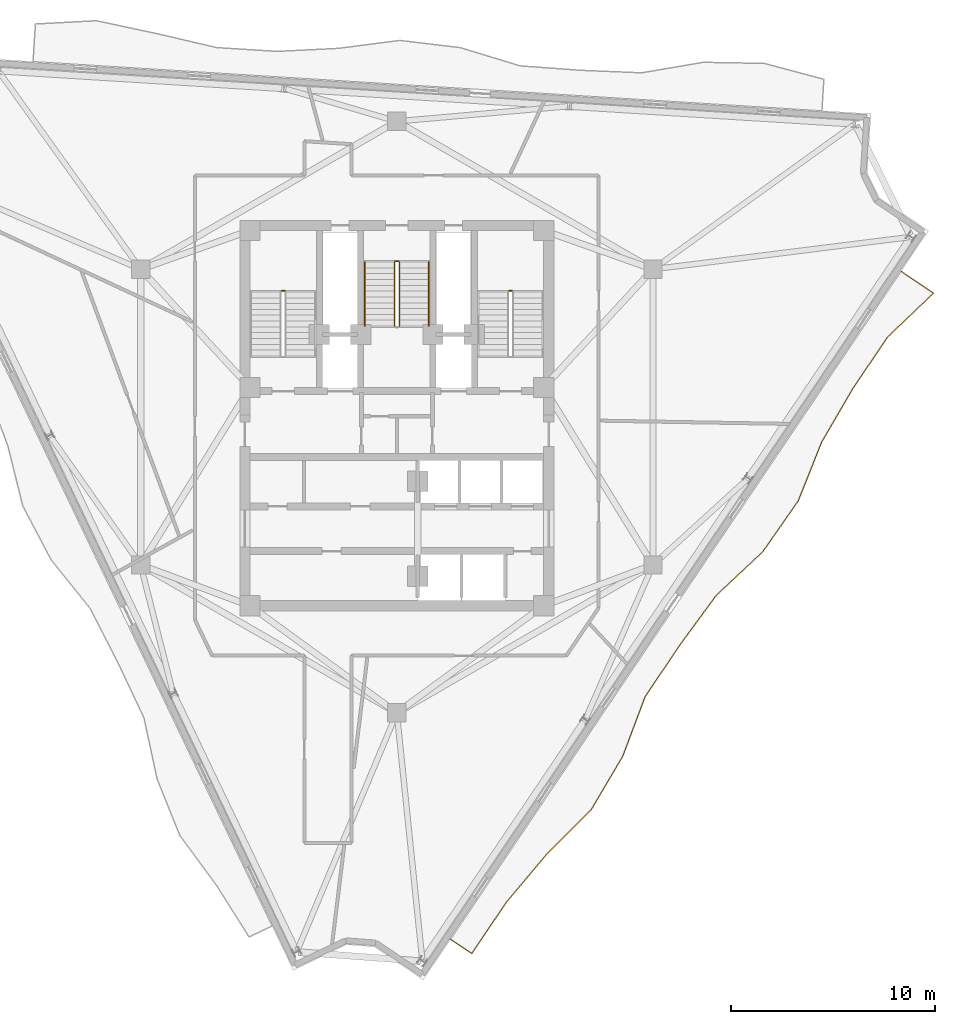
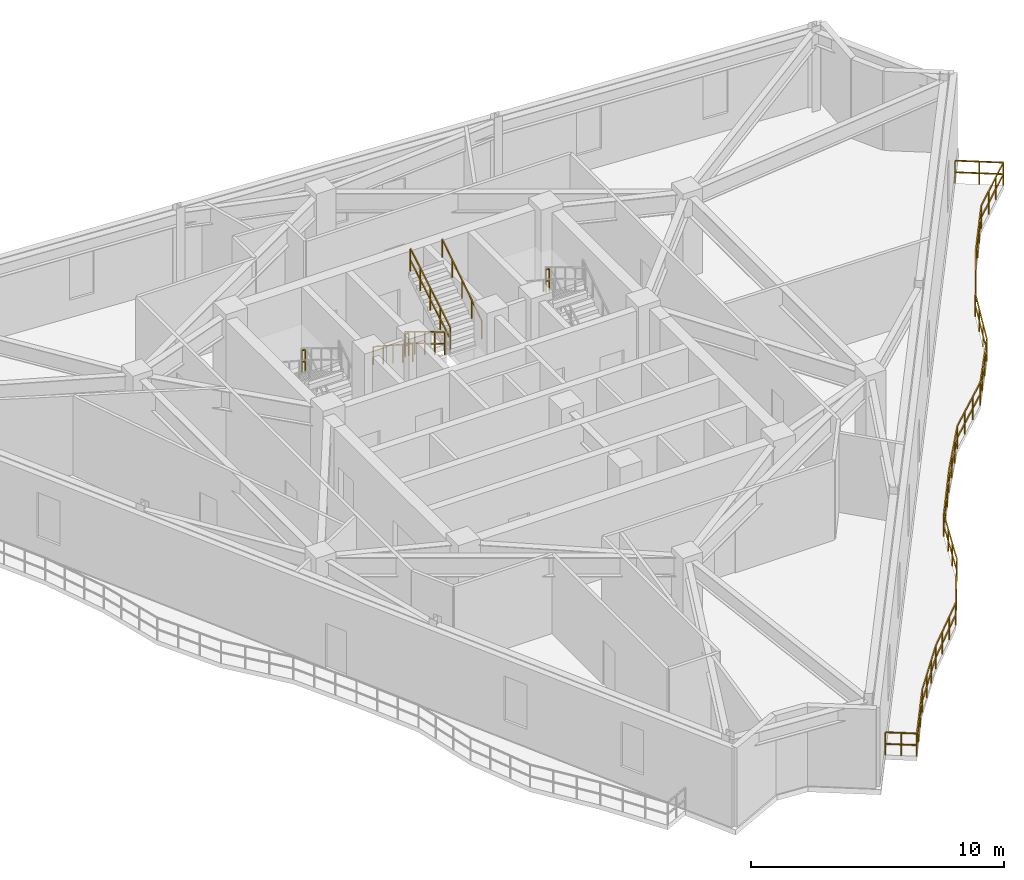
# One storey, part 10 of 11: 8 railings.
"""IFC4 building model written with IfcOpenShell, lengths in metres."""

from ifc_helpers import new_model, si_unit, direction, frame, origin, origin_2d, place, context, subcontext, project, spatial, rectangle, extrude, material, type_object, element, save


model = new_model("IFC4")

# Units and contexts
model_context = context("Model", 3, precision=1e-05, world=origin(), true_north=direction((0.0, 1.0)))
body_context = subcontext(model_context, "Body", "Model", "MODEL_VIEW")
ifc_project = project(units=[si_unit("LENGTHUNIT", "METRE"), si_unit("AREAUNIT", "SQUARE_METRE"), si_unit("VOLUMEUNIT", "CUBIC_METRE"), si_unit("PLANEANGLEUNIT", "RADIAN"), si_unit("MASSUNIT", "GRAM", prefix="KILO")], contexts=[model_context])

# Site, building, storey
site_placement = place(None, origin())
site = spatial("IfcSite", under=ifc_project, at=site_placement, CompositionType="ELEMENT")
building_placement = place(site_placement, origin())
building = spatial("IfcBuilding", under=site, at=building_placement, Name="Apsidion Concourse Tower", CompositionType="ELEMENT")
storey_placement = place(building_placement, frame((0.0, 0.0, 314.699951171875)))
storey = spatial("IfcBuildingStorey", under=building, at=storey_placement, Name="L74", CompositionType="ELEMENT", Elevation=314.699951171875)

# Railings
ifc_material = material(Name="Brushed stainless steel 316", Category="steel")
railing_type_1 = type_object("IfcRailingType", Name="RL-BAL-1120", PredefinedType="BALUSTRADE", material=ifc_material)
railing_1_placement = place(storey_placement, frame((24.735595703125, 7.147216796875, 0.0)))
element("IfcRailing", 1, at=railing_1_placement, inside=storey, type_object=railing_type_1, Name="L74 Face 2 Rippling Balcony Balustrade", PredefinedType="BALUSTRADE", context=body_context, shape_type="SweptSolid", body=[
    extrude(rectangle(XDim=0.048095703125, YDim=0.048095703125, at=origin_2d()), frame((0.0, 0.0, 1.09619140625), z_axis=(0.829055627958, -0.559166134303, 0.0), x_axis=(0.559166134303, 0.829055627958, 0.0)), (0.0, 0.0, 1.0), 1.9140625),
    extrude(rectangle(XDim=0.048095703125, YDim=0.048095703125, at=origin_2d()), frame((0.0, 0.0, 0.5361328125), z_axis=(0.829055627958, -0.559166134303, 0.0), x_axis=(0.559166134303, 0.829055627958, 0.0)), (0.0, 0.0, 1.0), 1.9140625),
    extrude(rectangle(XDim=0.048095703125, YDim=0.048095703125, at=origin_2d()), frame((1.5869140625, -1.0703125, 1.09619140625), z_axis=(-0.723277160742, -0.690557853297, 0.0), x_axis=(0.690557853297, -0.723277160742, 0.0)), (0.0, 0.0, 1.0), 3.111572265625),
    extrude(rectangle(XDim=0.048095703125, YDim=0.048095703125, at=origin_2d()), frame((1.5869140625, -1.0703125, 0.5361328125), z_axis=(-0.723277160742, -0.690557853297, 0.0), x_axis=(0.690557853297, -0.723277160742, 0.0)), (0.0, 0.0, 1.0), 3.111572265625),
    extrude(rectangle(XDim=0.048095703125, YDim=0.048095703125, at=origin_2d()), frame((-0.66357421875, -3.218994140625, 1.09619140625), z_axis=(-0.559214853397, -0.82902276672, 0.0), x_axis=(0.82902276672, -0.559214853397, 0.0)), (0.0, 0.0, 1.0), 3.03955078125),
    extrude(rectangle(XDim=0.048095703125, YDim=0.048095703125, at=origin_2d()), frame((-0.66357421875, -3.218994140625, 0.5361328125), z_axis=(-0.559214853397, -0.82902276672, 0.0), x_axis=(0.82902276672, -0.559214853397, 0.0)), (0.0, 0.0, 1.0), 3.03955078125),
    extrude(rectangle(XDim=0.048095703125, YDim=0.048095703125, at=origin_2d()), frame((-2.36328125, -5.73876953125, 1.09619140625), z_axis=(-0.503741451278, -0.863854472851, 0.0), x_axis=(0.863854472851, -0.503741451278, 0.0)), (0.0, 0.0, 1.0), 3.046142578125),
    extrude(rectangle(XDim=0.048095703125, YDim=0.048095703125, at=origin_2d()), frame((-2.36328125, -5.73876953125, 0.5361328125), z_axis=(-0.503741451278, -0.863854472851, 0.0), x_axis=(0.863854472851, -0.503741451278, 0.0)), (0.0, 0.0, 1.0), 3.046142578125),
    extrude(rectangle(XDim=0.048095703125, YDim=0.048095703125, at=origin_2d()), frame((-3.897705078125, -8.3701171875, 1.09619140625), z_axis=(-0.370375548991, -0.92888209839, 0.0), x_axis=(0.92888209839, -0.370375548991, 0.0)), (0.0, 0.0, 1.0), 3.110595703125),
    extrude(rectangle(XDim=0.048095703125, YDim=0.048095703125, at=origin_2d()), frame((-3.897705078125, -8.3701171875, 0.5361328125), z_axis=(-0.370375548991, -0.92888209839, 0.0), x_axis=(0.92888209839, -0.370375548991, 0.0)), (0.0, 0.0, 1.0), 3.110595703125),
    extrude(rectangle(XDim=0.048095703125, YDim=0.048095703125, at=origin_2d()), frame((-5.0498046875, -11.259521484375, 1.09619140625), z_axis=(-0.571871279229, -0.820343367129, 0.0), x_axis=(0.820343367129, -0.571871279229, 0.0)), (0.0, 0.0, 1.0), 3.0400390625),
    extrude(rectangle(XDim=0.048095703125, YDim=0.048095703125, at=origin_2d()), frame((-5.0498046875, -11.259521484375, 0.5361328125), z_axis=(-0.571871279229, -0.820343367129, 0.0), x_axis=(0.820343367129, -0.571871279229, 0.0)), (0.0, 0.0, 1.0), 3.0400390625),
    extrude(rectangle(XDim=0.048095703125, YDim=0.048095703125, at=origin_2d()), frame((-6.788330078125, -13.75341796875, 1.09619140625), z_axis=(-0.729942429374, -0.68350863184, 0.0), x_axis=(0.68350863184, -0.729942429374, 0.0)), (0.0, 0.0, 1.0), 3.117919921875),
    extrude(rectangle(XDim=0.048095703125, YDim=0.048095703125, at=origin_2d()), frame((-6.788330078125, -13.75341796875, 0.5361328125), z_axis=(-0.729942429374, -0.68350863184, 0.0), x_axis=(0.68350863184, -0.729942429374, 0.0)), (0.0, 0.0, 1.0), 3.117919921875),
    extrude(rectangle(XDim=0.048095703125, YDim=0.048095703125, at=origin_2d()), frame((-9.064208984375, -15.884521484375, 1.09619140625), z_axis=(-0.590921705352, -0.806728912426, 0.0), x_axis=(0.806728912426, -0.590921705352, 0.0)), (0.0, 0.0, 1.0), 3.0419921875),
    extrude(rectangle(XDim=0.048095703125, YDim=0.048095703125, at=origin_2d()), frame((-9.064208984375, -15.884521484375, 0.5361328125), z_axis=(-0.590921705352, -0.806728912426, 0.0), x_axis=(0.806728912426, -0.590921705352, 0.0)), (0.0, 0.0, 1.0), 3.0419921875),
    extrude(rectangle(XDim=0.048095703125, YDim=0.048095703125, at=origin_2d()), frame((-10.86181640625, -18.338623046875, 1.09619140625), z_axis=(-0.557718111611, -0.830030425937, 0.0), x_axis=(0.830030425937, -0.557718111611, 0.0)), (0.0, 0.0, 1.0), 3.039306640625),
    extrude(rectangle(XDim=0.048095703125, YDim=0.048095703125, at=origin_2d()), frame((-10.86181640625, -18.338623046875, 0.5361328125), z_axis=(-0.557718111611, -0.830030425937, 0.0), x_axis=(0.830030425937, -0.557718111611, 0.0)), (0.0, 0.0, 1.0), 3.039306640625),
    extrude(rectangle(XDim=0.048095703125, YDim=0.048095703125, at=origin_2d()), frame((-12.556884765625, -20.861328125, 1.09619140625), z_axis=(-0.351654227611, -0.936129961172, 0.0), x_axis=(0.936129961172, -0.351654227611, 0.0)), (0.0, 0.0, 1.0), 3.125),
    extrude(rectangle(XDim=0.048095703125, YDim=0.048095703125, at=origin_2d()), frame((-12.556884765625, -20.861328125, 0.5361328125), z_axis=(-0.351654227611, -0.936129961172, 0.0), x_axis=(0.936129961172, -0.351654227611, 0.0)), (0.0, 0.0, 1.0), 3.125),
    extrude(rectangle(XDim=0.048095703125, YDim=0.048095703125, at=origin_2d()), frame((-13.65576171875, -23.78662109375, 1.09619140625), z_axis=(-0.508872466456, -0.860841920961, 0.0), x_axis=(0.860841920961, -0.508872466456, 0.0)), (0.0, 0.0, 1.0), 3.045166015625),
    extrude(rectangle(XDim=0.048095703125, YDim=0.048095703125, at=origin_2d()), frame((-13.65576171875, -23.78662109375, 0.5361328125), z_axis=(-0.508872466456, -0.860841920961, 0.0), x_axis=(0.860841920961, -0.508872466456, 0.0)), (0.0, 0.0, 1.0), 3.045166015625),
    extrude(rectangle(XDim=0.048095703125, YDim=0.048095703125, at=origin_2d()), frame((-15.205322265625, -26.407958984375, 1.09619140625), z_axis=(-0.707225036353, -0.70698850624, 0.0), x_axis=(0.70698850624, -0.707225036353, 0.0)), (0.0, 0.0, 1.0), 3.096435546875),
    extrude(rectangle(XDim=0.048095703125, YDim=0.048095703125, at=origin_2d()), frame((-15.205322265625, -26.407958984375, 0.5361328125), z_axis=(-0.707225036353, -0.70698850624, 0.0), x_axis=(0.70698850624, -0.707225036353, 0.0)), (0.0, 0.0, 1.0), 3.096435546875),
    extrude(rectangle(XDim=0.048095703125, YDim=0.048095703125, at=origin_2d()), frame((-17.395263671875, -28.59716796875, 1.09619140625), z_axis=(-0.642922296261, -0.765931407484, 0.0), x_axis=(0.765931407484, -0.642922296261, 0.0)), (0.0, 0.0, 1.0), 3.056396484375),
    extrude(rectangle(XDim=0.048095703125, YDim=0.048095703125, at=origin_2d()), frame((-17.395263671875, -28.59716796875, 0.5361328125), z_axis=(-0.642922296261, -0.765931407484, 0.0), x_axis=(0.765931407484, -0.642922296261, 0.0)), (0.0, 0.0, 1.0), 3.056396484375),
    extrude(rectangle(XDim=0.048095703125, YDim=0.048095703125, at=origin_2d()), frame((-19.3603515625, -30.938232421875, 1.09619140625), z_axis=(-0.559214853397, -0.82902276672, 0.0), x_axis=(0.82902276672, -0.559214853397, 0.0)), (0.0, 0.0, 1.0), 3.03955078125),
    extrude(rectangle(XDim=0.048095703125, YDim=0.048095703125, at=origin_2d()), frame((-19.3603515625, -30.938232421875, 0.5361328125), z_axis=(-0.559214853397, -0.82902276672, 0.0), x_axis=(0.82902276672, -0.559214853397, 0.0)), (0.0, 0.0, 1.0), 3.03955078125),
    extrude(rectangle(XDim=0.048095703125, YDim=0.048095703125, at=origin_2d()), frame((-21.06005859375, -33.4580078125, 1.09619140625), z_axis=(-0.829002629562, 0.559244705098, 0.0), x_axis=(-0.559244705098, -0.829002629562, 0.0)), (0.0, 0.0, 1.0), 1.249755859375),
    extrude(rectangle(XDim=0.048095703125, YDim=0.048095703125, at=origin_2d()), frame((-21.06005859375, -33.4580078125, 0.5361328125), z_axis=(-0.829002629562, 0.559244705098, 0.0), x_axis=(-0.559244705098, -0.829002629562, 0.0)), (0.0, 0.0, 1.0), 1.249755859375),
    extrude(rectangle(XDim=0.0419921875, YDim=0.0419921875, at=origin_2d()), origin(), (0.0, 0.0, 1.0), 1.072021484375),
    extrude(rectangle(XDim=0.0419921875, YDim=0.0419921875, at=origin_2d()), frame((0.79345703125, -0.53515625, 0.0)), (0.0, 0.0, 1.0), 1.072021484375),
    extrude(rectangle(XDim=0.0419921875, YDim=0.0419921875, at=origin_2d()), frame((1.5869140625, -1.0703125, 0.0)), (0.0, 0.0, 1.0), 1.072021484375),
    extrude(rectangle(XDim=0.0419921875, YDim=0.0419921875, at=origin_2d()), frame((0.836669921875, -1.78662109375, 0.0)), (0.0, 0.0, 1.0), 1.072021484375),
    extrude(rectangle(XDim=0.0419921875, YDim=0.0419921875, at=origin_2d()), frame((0.086669921875, -2.502685546875, 0.0)), (0.0, 0.0, 1.0), 1.072021484375),
    extrude(rectangle(XDim=0.0419921875, YDim=0.0419921875, at=origin_2d()), frame((-0.66357421875, -3.218994140625, 0.0)), (0.0, 0.0, 1.0), 1.072021484375),
    extrude(rectangle(XDim=0.0419921875, YDim=0.0419921875, at=origin_2d()), frame((-1.230224609375, -4.058837890625, 0.0)), (0.0, 0.0, 1.0), 1.072021484375),
    extrude(rectangle(XDim=0.0419921875, YDim=0.0419921875, at=origin_2d()), frame((-1.796630859375, -4.89892578125, 0.0)), (0.0, 0.0, 1.0), 1.072021484375),
    extrude(rectangle(XDim=0.0419921875, YDim=0.0419921875, at=origin_2d()), frame((-2.36328125, -5.73876953125, 0.0)), (0.0, 0.0, 1.0), 1.072021484375),
    extrude(rectangle(XDim=0.0419921875, YDim=0.0419921875, at=origin_2d()), frame((-2.874755859375, -6.615966796875, 0.0)), (0.0, 0.0, 1.0), 1.072021484375),
    extrude(rectangle(XDim=0.0419921875, YDim=0.0419921875, at=origin_2d()), frame((-3.38623046875, -7.492919921875, 0.0)), (0.0, 0.0, 1.0), 1.072021484375),
    extrude(rectangle(XDim=0.0419921875, YDim=0.0419921875, at=origin_2d()), frame((-3.897705078125, -8.3701171875, 0.0)), (0.0, 0.0, 1.0), 1.072021484375),
    extrude(rectangle(XDim=0.0419921875, YDim=0.0419921875, at=origin_2d()), frame((-4.28173828125, -9.333251953125, 0.0)), (0.0, 0.0, 1.0), 1.072021484375),
    extrude(rectangle(XDim=0.0419921875, YDim=0.0419921875, at=origin_2d()), frame((-4.665771484375, -10.29638671875, 0.0)), (0.0, 0.0, 1.0), 1.072021484375),
    extrude(rectangle(XDim=0.0419921875, YDim=0.0419921875, at=origin_2d()), frame((-5.0498046875, -11.259521484375, 0.0)), (0.0, 0.0, 1.0), 1.072021484375),
    extrude(rectangle(XDim=0.0419921875, YDim=0.0419921875, at=origin_2d()), frame((-5.62939453125, -12.0908203125, 0.0)), (0.0, 0.0, 1.0), 1.072021484375),
    extrude(rectangle(XDim=0.0419921875, YDim=0.0419921875, at=origin_2d()), frame((-6.208740234375, -12.922119140625, 0.0)), (0.0, 0.0, 1.0), 1.072021484375),
    extrude(rectangle(XDim=0.0419921875, YDim=0.0419921875, at=origin_2d()), frame((-6.788330078125, -13.75341796875, 0.0)), (0.0, 0.0, 1.0), 1.072021484375),
    extrude(rectangle(XDim=0.0419921875, YDim=0.0419921875, at=origin_2d()), frame((-7.546875, -14.4638671875, 0.0)), (0.0, 0.0, 1.0), 1.072021484375),
    extrude(rectangle(XDim=0.0419921875, YDim=0.0419921875, at=origin_2d()), frame((-8.3056640625, -15.174072265625, 0.0)), (0.0, 0.0, 1.0), 1.072021484375),
    extrude(rectangle(XDim=0.0419921875, YDim=0.0419921875, at=origin_2d()), frame((-9.064208984375, -15.884521484375, 0.0)), (0.0, 0.0, 1.0), 1.072021484375),
    extrude(rectangle(XDim=0.0419921875, YDim=0.0419921875, at=origin_2d()), frame((-9.663330078125, -16.70263671875, 0.0)), (0.0, 0.0, 1.0), 1.072021484375),
    extrude(rectangle(XDim=0.0419921875, YDim=0.0419921875, at=origin_2d()), frame((-10.2626953125, -17.5205078125, 0.0)), (0.0, 0.0, 1.0), 1.072021484375),
    extrude(rectangle(XDim=0.0419921875, YDim=0.0419921875, at=origin_2d()), frame((-10.86181640625, -18.338623046875, 0.0)), (0.0, 0.0, 1.0), 1.072021484375),
    extrude(rectangle(XDim=0.0419921875, YDim=0.0419921875, at=origin_2d()), frame((-11.4267578125, -19.179443359375, 0.0)), (0.0, 0.0, 1.0), 1.072021484375),
    extrude(rectangle(XDim=0.0419921875, YDim=0.0419921875, at=origin_2d()), frame((-11.991943359375, -20.0205078125, 0.0)), (0.0, 0.0, 1.0), 1.072021484375),
    extrude(rectangle(XDim=0.0419921875, YDim=0.0419921875, at=origin_2d()), frame((-12.556884765625, -20.861328125, 0.0)), (0.0, 0.0, 1.0), 1.072021484375),
    extrude(rectangle(XDim=0.0419921875, YDim=0.0419921875, at=origin_2d()), frame((-12.923095703125, -21.83642578125, 0.0)), (0.0, 0.0, 1.0), 1.072021484375),
    extrude(rectangle(XDim=0.0419921875, YDim=0.0419921875, at=origin_2d()), frame((-13.28955078125, -22.8115234375, 0.0)), (0.0, 0.0, 1.0), 1.072021484375),
    extrude(rectangle(XDim=0.0419921875, YDim=0.0419921875, at=origin_2d()), frame((-13.65576171875, -23.78662109375, 0.0)), (0.0, 0.0, 1.0), 1.072021484375),
    extrude(rectangle(XDim=0.0419921875, YDim=0.0419921875, at=origin_2d()), frame((-14.17236328125, -24.660400390625, 0.0)), (0.0, 0.0, 1.0), 1.072021484375),
    extrude(rectangle(XDim=0.0419921875, YDim=0.0419921875, at=origin_2d()), frame((-14.688720703125, -25.5341796875, 0.0)), (0.0, 0.0, 1.0), 1.072021484375),
    extrude(rectangle(XDim=0.0419921875, YDim=0.0419921875, at=origin_2d()), frame((-15.205322265625, -26.407958984375, 0.0)), (0.0, 0.0, 1.0), 1.072021484375),
    extrude(rectangle(XDim=0.0419921875, YDim=0.0419921875, at=origin_2d()), frame((-15.935302734375, -27.1376953125, 0.0)), (0.0, 0.0, 1.0), 1.072021484375),
    extrude(rectangle(XDim=0.0419921875, YDim=0.0419921875, at=origin_2d()), frame((-16.665283203125, -27.867431640625, 0.0)), (0.0, 0.0, 1.0), 1.072021484375),
    extrude(rectangle(XDim=0.0419921875, YDim=0.0419921875, at=origin_2d()), frame((-17.395263671875, -28.59716796875, 0.0)), (0.0, 0.0, 1.0), 1.072021484375),
    extrude(rectangle(XDim=0.0419921875, YDim=0.0419921875, at=origin_2d()), frame((-18.05029296875, -29.37744140625, 0.0)), (0.0, 0.0, 1.0), 1.072021484375),
    extrude(rectangle(XDim=0.0419921875, YDim=0.0419921875, at=origin_2d()), frame((-18.705322265625, -30.157958984375, 0.0)), (0.0, 0.0, 1.0), 1.072021484375),
    extrude(rectangle(XDim=0.0419921875, YDim=0.0419921875, at=origin_2d()), frame((-19.3603515625, -30.938232421875, 0.0)), (0.0, 0.0, 1.0), 1.072021484375),
    extrude(rectangle(XDim=0.0419921875, YDim=0.0419921875, at=origin_2d()), frame((-19.927001953125, -31.778076171875, 0.0)), (0.0, 0.0, 1.0), 1.072021484375),
    extrude(rectangle(XDim=0.0419921875, YDim=0.0419921875, at=origin_2d()), frame((-20.493408203125, -32.6181640625, 0.0)), (0.0, 0.0, 1.0), 1.072021484375),
    extrude(rectangle(XDim=0.0419921875, YDim=0.0419921875, at=origin_2d()), frame((-21.06005859375, -33.4580078125, 0.0)), (0.0, 0.0, 1.0), 1.072021484375),
    extrude(rectangle(XDim=0.0419921875, YDim=0.0419921875, at=origin_2d()), frame((-21.578125, -33.1083984375, 0.0)), (0.0, 0.0, 1.0), 1.072021484375),
    extrude(rectangle(XDim=0.0419921875, YDim=0.0419921875, at=origin_2d()), frame((-22.09619140625, -32.759033203125, 0.0)), (0.0, 0.0, 1.0), 1.072021484375),
])
railing_type_2 = type_object("IfcRailingType", Name="RL-GUARD-1100", PredefinedType="GUARDRAIL", material=ifc_material)
for number, where, name in (
    (2, (-5.5, 6.18505859375, 2.050048828125), "L74 ST1 stair guard 2"),
    (3, (5.64990234375, 6.18505859375, 2.050048828125), "L74 ST2 stair guard 2"),
):
    element("IfcRailing", number, at=place(storey_placement, frame(where)), inside=storey, type_object=railing_type_2, Name=name, PredefinedType="GUARDRAIL", context=body_context, shape_type="SweptSolid", body=[
        extrude(rectangle(XDim=0.048095703125, YDim=0.048095703125, at=origin_2d()), frame((0.0, 0.0, 1.09619140625), z_axis=(-1.0, 0.0, 0.0), x_axis=(0.0, -1.0, 0.0)), (0.0, 0.0, 1.0), 0.14990234375),
        extrude(rectangle(XDim=0.048095703125, YDim=0.048095703125, at=origin_2d()), frame((0.0, 0.0, 0.5361328125), z_axis=(-1.0, 0.0, 0.0), x_axis=(0.0, -1.0, 0.0)), (0.0, 0.0, 1.0), 0.14990234375),
        extrude(rectangle(XDim=0.0419921875, YDim=0.0419921875, at=origin_2d()), origin(), (0.0, 0.0, 1.0), 1.072021484375),
        extrude(rectangle(XDim=0.0419921875, YDim=0.0419921875, at=origin_2d()), frame((-0.14990234375, 0.0, 0.0)), (0.0, 0.0, 1.0), 1.072021484375),
    ])
railing_2_placement = place(storey_placement, frame((-0.125, 7.60009765625, 0.1708984375)))
element("IfcRailing", 4, at=railing_2_placement, inside=storey, type_object=railing_type_2, Name="L74 ST3 stair guard 1", PredefinedType="GUARDRAIL", context=body_context, shape_type="SweptSolid", body=[
    extrude(rectangle(XDim=0.048095703125, YDim=0.048095703125, at=origin_2d()), frame((0.0, 0.0, 1.09619140625), z_axis=(0.0, -0.857716804754, 0.514122439544), x_axis=(1.0, 0.0, 0.0)), (0.0, 0.0, 1.0), 3.655029296875),
    extrude(rectangle(XDim=0.048095703125, YDim=0.048095703125, at=origin_2d()), frame((0.0, 0.0, 0.5361328125), z_axis=(0.0, -0.857716804754, 0.514122439544), x_axis=(1.0, 0.0, 0.0)), (0.0, 0.0, 1.0), 3.655029296875),
    extrude(rectangle(XDim=0.0419921875, YDim=0.0419921875, at=origin_2d()), origin(), (0.0, 0.0, 1.0), 1.072021484375),
    extrude(rectangle(XDim=0.0419921875, YDim=0.0419921875, at=origin_2d()), frame((0.0, -0.78369140625, 0.4697265625)), (0.0, 0.0, 1.0), 1.072021484375),
    extrude(rectangle(XDim=0.0419921875, YDim=0.0419921875, at=origin_2d()), frame((0.0, -1.5673828125, 0.939453125)), (0.0, 0.0, 1.0), 1.072021484375),
    extrude(rectangle(XDim=0.0419921875, YDim=0.0419921875, at=origin_2d()), frame((0.0, -2.351318359375, 1.409423828125)), (0.0, 0.0, 1.0), 1.072021484375),
    extrude(rectangle(XDim=0.0419921875, YDim=0.0419921875, at=origin_2d()), frame((0.0, -3.135009765625, 1.879150390625)), (0.0, 0.0, 1.0), 1.072021484375),
])
railing_3_placement = place(storey_placement, frame((0.125, 4.465087890625, 2.220947265625)))
element("IfcRailing", 5, at=railing_3_placement, inside=storey, type_object=railing_type_2, Name="L74 ST3 stair guard 3", PredefinedType="GUARDRAIL", context=body_context, shape_type="SweptSolid", body=[
    extrude(rectangle(XDim=0.048095703125, YDim=0.048095703125, at=origin_2d()), frame((0.0, 0.0, 1.09619140625), z_axis=(0.0, 0.857716804754, 0.514122439544), x_axis=(-1.0, 0.0, 0.0)), (0.0, 0.0, 1.0), 3.655029296875),
    extrude(rectangle(XDim=0.048095703125, YDim=0.048095703125, at=origin_2d()), frame((0.0, 0.0, 0.5361328125), z_axis=(0.0, 0.857716804754, 0.514122439544), x_axis=(-1.0, 0.0, 0.0)), (0.0, 0.0, 1.0), 3.655029296875),
    extrude(rectangle(XDim=0.0419921875, YDim=0.0419921875, at=origin_2d()), origin(), (0.0, 0.0, 1.0), 1.072021484375),
    extrude(rectangle(XDim=0.0419921875, YDim=0.0419921875, at=origin_2d()), frame((0.0, 0.78369140625, 0.4697265625)), (0.0, 0.0, 1.0), 1.072021484375),
    extrude(rectangle(XDim=0.0419921875, YDim=0.0419921875, at=origin_2d()), frame((0.0, 1.5673828125, 0.939453125)), (0.0, 0.0, 1.0), 1.072021484375),
    extrude(rectangle(XDim=0.0419921875, YDim=0.0419921875, at=origin_2d()), frame((0.0, 2.351318359375, 1.409423828125)), (0.0, 0.0, 1.0), 1.072021484375),
    extrude(rectangle(XDim=0.0419921875, YDim=0.0419921875, at=origin_2d()), frame((0.0, 3.135009765625, 1.879150390625)), (0.0, 0.0, 1.0), 1.072021484375),
])
railing_4_placement = place(storey_placement, frame((-0.074951171875, 7.64990234375, 0.0)))
element("IfcRailing", 6, at=railing_4_placement, inside=storey, type_object=railing_type_2, Name="L74 ST3 stair guard 4", PredefinedType="GUARDRAIL", context=body_context, shape_type="SweptSolid", body=[
    extrude(rectangle(XDim=0.048095703125, YDim=0.048095703125, at=origin_2d()), frame((0.0, 0.0, 1.09619140625), z_axis=(1.0, 0.0, 0.0), x_axis=(0.0, 1.0, 0.0)), (0.0, 0.0, 1.0), 0.14990234375),
    extrude(rectangle(XDim=0.048095703125, YDim=0.048095703125, at=origin_2d()), frame((0.0, 0.0, 0.5361328125), z_axis=(1.0, 0.0, 0.0), x_axis=(0.0, 1.0, 0.0)), (0.0, 0.0, 1.0), 0.14990234375),
    extrude(rectangle(XDim=0.0419921875, YDim=0.0419921875, at=origin_2d()), origin(), (0.0, 0.0, 1.0), 1.072021484375),
    extrude(rectangle(XDim=0.0419921875, YDim=0.0419921875, at=origin_2d()), frame((0.14990234375, 0.0, 0.0)), (0.0, 0.0, 1.0), 1.072021484375),
])
railing_type_3 = type_object("IfcRailingType", Name="RL-HAND-900", PredefinedType="HANDRAIL", material=ifc_material)
railing_5_placement = place(storey_placement, frame((-1.574951171875, 7.60009765625, 0.1708984375)))
element("IfcRailing", 7, at=railing_5_placement, inside=storey, type_object=railing_type_3, Name="L74 ST3 stair handrail 1", PredefinedType="HANDRAIL", context=body_context, shape_type="SweptSolid", body=[
    extrude(rectangle(XDim=0.048095703125, YDim=0.048095703125, at=origin_2d()), frame((0.0, 0.0, 0.8759765625), z_axis=(0.0, -0.836940907821, 0.547293263996), x_axis=(1.0, 0.0, 0.0)), (0.0, 0.0, 1.0), 3.745849609375),
    extrude(rectangle(XDim=0.0419921875, YDim=0.0419921875, at=origin_2d()), origin(), (0.0, 0.0, 1.0), 0.851806640625),
    extrude(rectangle(XDim=0.0419921875, YDim=0.0419921875, at=origin_2d()), frame((0.0, -0.78369140625, 0.512451171875)), (0.0, 0.0, 1.0), 0.851806640625),
    extrude(rectangle(XDim=0.0419921875, YDim=0.0419921875, at=origin_2d()), frame((0.0, -1.5673828125, 1.02490234375)), (0.0, 0.0, 1.0), 0.851806640625),
    extrude(rectangle(XDim=0.0419921875, YDim=0.0419921875, at=origin_2d()), frame((0.0, -2.351318359375, 1.53759765625)), (0.0, 0.0, 1.0), 0.851806640625),
    extrude(rectangle(XDim=0.0419921875, YDim=0.0419921875, at=origin_2d()), frame((0.0, -3.135009765625, 2.050048828125)), (0.0, 0.0, 1.0), 0.851806640625),
])
railing_6_placement = place(storey_placement, frame((1.574951171875, 4.465087890625, 2.220947265625)))
element("IfcRailing", 8, at=railing_6_placement, inside=storey, type_object=railing_type_3, Name="L74 ST3 stair handrail 2", PredefinedType="HANDRAIL", context=body_context, shape_type="SweptSolid", body=[
    extrude(rectangle(XDim=0.048095703125, YDim=0.048095703125, at=origin_2d()), frame((0.0, 0.0, 0.8759765625), z_axis=(0.0, 0.836940907821, 0.547293263996), x_axis=(-1.0, 0.0, 0.0)), (0.0, 0.0, 1.0), 3.745849609375),
    extrude(rectangle(XDim=0.0419921875, YDim=0.0419921875, at=origin_2d()), origin(), (0.0, 0.0, 1.0), 0.851806640625),
    extrude(rectangle(XDim=0.0419921875, YDim=0.0419921875, at=origin_2d()), frame((0.0, 0.78369140625, 0.512451171875)), (0.0, 0.0, 1.0), 0.851806640625),
    extrude(rectangle(XDim=0.0419921875, YDim=0.0419921875, at=origin_2d()), frame((0.0, 1.5673828125, 1.02490234375)), (0.0, 0.0, 1.0), 0.851806640625),
    extrude(rectangle(XDim=0.0419921875, YDim=0.0419921875, at=origin_2d()), frame((0.0, 2.351318359375, 1.53759765625)), (0.0, 0.0, 1.0), 0.851806640625),
    extrude(rectangle(XDim=0.0419921875, YDim=0.0419921875, at=origin_2d()), frame((0.0, 3.135009765625, 2.050048828125)), (0.0, 0.0, 1.0), 0.851806640625),
])

save(model, "model.ifc")
